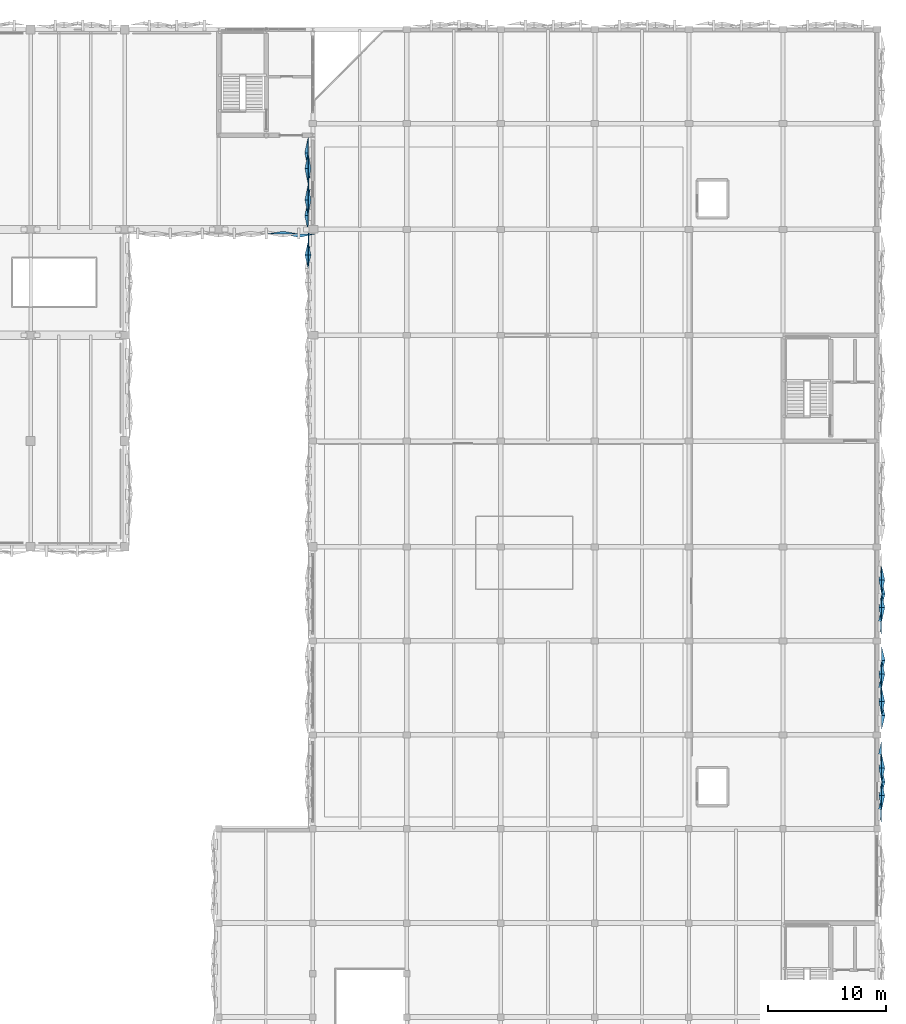
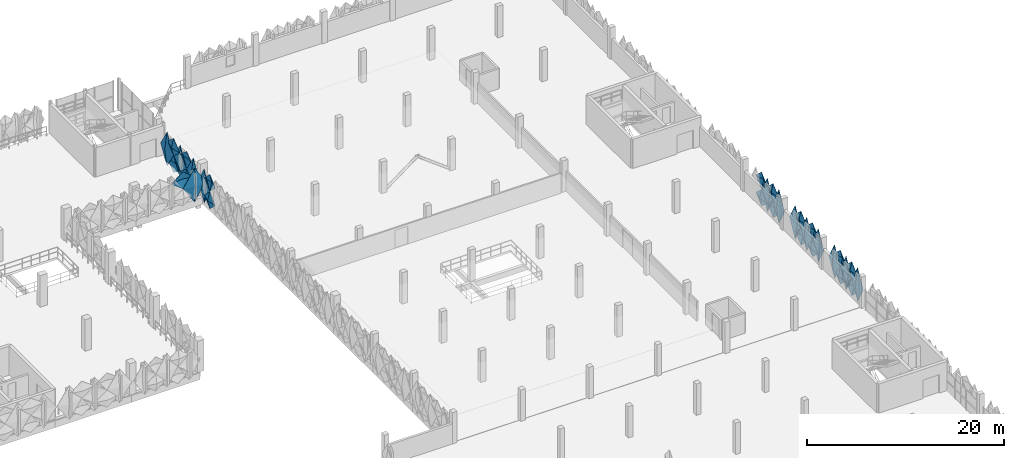
# One storey, part 65 of 83: 32 plates.
"""IFC4 building model written with IfcOpenShell, lengths in metres."""

import ifcopenshell
import ifcopenshell.guid

model = None  # the IFC model being written
_history = None  # IfcOwnerHistory: only IFC2X3 demands one
_inside = {}  # id of a spatial element -> (the spatial element, [elements in it])
_under = {}  # id of a project, library or spatial element -> (it, [spatial elements below it])
_declared = {}  # id of a project -> (the project, [libraries it declares])
_typed = {}  # id of a type object -> (the type object, [elements of that type])
_made_of = {}  # id of a material, layer set ... -> (it, [elements and type objects made of it])


def new_model(schema):
    """Start an empty IFC model of exactly this schema.

    Asked for "IFC4X3", IfcOpenShell would pick the latest addendum, in which some entities
    have other attributes; the version numbers below select the first issue.
    IFC2X3 requires an IfcOwnerHistory on every rooted entity: one is made here for all.
    """
    global model, _history
    if schema == "IFC4X3":
        model = ifcopenshell.file(schema_version=(4, 3, 0, 0))
    else:
        model = ifcopenshell.file(schema=schema)
    _inside.clear()
    _under.clear()
    _declared.clear()
    _typed.clear()
    _made_of.clear()
    _history = None
    if model.schema == "IFC2X3":
        org = make("IfcOrganization", Name="unknown")
        user = make(
            "IfcPersonAndOrganization",
            ThePerson=make("IfcPerson", FamilyName="unknown"),
            TheOrganization=org,
        )
        app = make(
            "IfcApplication",
            ApplicationDeveloper=org,
            Version="unknown",
            ApplicationFullName="unknown",
            ApplicationIdentifier="unknown",
        )
        _history = make(
            "IfcOwnerHistory",
            OwningUser=user,
            OwningApplication=app,
            ChangeAction="ADDED",
            CreationDate=0,
        )
    return model


def make(cls, **values):
    """One entity of the class cls with the attributes given. An attribute that is None is left unset."""
    return model.create_entity(
        cls, **{name: value for name, value in values.items() if value is not None}
    )


def rooted(cls, **values):
    """An entity with a GlobalId (a new one), such as an element, a storey or a relation."""
    return make(cls, GlobalId=ifcopenshell.guid.new(), OwnerHistory=_history, **values)


def si_unit(unit_type, name, prefix=None):
    """IfcSIUnit, for example si_unit("LENGTHUNIT", "METRE", prefix="MILLI")."""
    return make("IfcSIUnit", UnitType=unit_type, Prefix=prefix, Name=name)


def derived_unit(unit_type, elements):
    """IfcDerivedUnit: a product of units, each with its exponent."""
    return make(
        "IfcDerivedUnit",
        Elements=[
            make("IfcDerivedUnitElement", Unit=unit, Exponent=power)
            for unit, power in elements
        ],
        UnitType=unit_type,
    )


def assignment(units):
    """IfcUnitAssignment: the units of a project."""
    return None if units is None else make("IfcUnitAssignment", Units=units)


def point(xyz):
    """IfcCartesianPoint."""
    return None if xyz is None else make("IfcCartesianPoint", Coordinates=xyz)


def direction(xyz):
    """IfcDirection."""
    return None if xyz is None else make("IfcDirection", DirectionRatios=xyz)


def frame(location, z_axis=None, x_axis=None):
    """IfcAxis2Placement3D, a coordinate frame: its origin and axes. An axis left out is left unset."""
    return make(
        "IfcAxis2Placement3D",
        Location=point(location),
        Axis=direction(z_axis),
        RefDirection=direction(x_axis),
    )


def origin():
    """The frame at (0, 0, 0) with its axes left unset."""
    return frame((0.0, 0.0, 0.0))


def place(relative_to, where):
    """IfcLocalPlacement: puts the frame where relative to a parent placement (None: the world)."""
    return make(
        "IfcLocalPlacement", PlacementRelTo=relative_to, RelativePlacement=where
    )


def context(
    kind, dimensions, precision=None, world=None, true_north=None, identifier=None
):
    """IfcGeometricRepresentationContext, for example the 3D "Model" context."""
    return make(
        "IfcGeometricRepresentationContext",
        ContextIdentifier=identifier,
        ContextType=kind,
        CoordinateSpaceDimension=dimensions,
        Precision=precision,
        WorldCoordinateSystem=world,
        TrueNorth=true_north,
    )


def subcontext(parent, identifier, kind, view, scale=None):
    """IfcGeometricRepresentationSubContext, for example "Body" below "Model"."""
    return make(
        "IfcGeometricRepresentationSubContext",
        ContextIdentifier=identifier,
        ContextType=kind,
        ParentContext=parent,
        TargetScale=scale,
        TargetView=view,
    )


def project(units=None, contexts=None):
    """IfcProject with its units and contexts."""
    return rooted(
        "IfcProject",
        Name="project",
        RepresentationContexts=contexts,
        UnitsInContext=assignment(units),
    )


def spatial(cls, under=None, at=None, **own):
    """A site, building, storey or space (cls), placed at a placement, below another one or the project."""
    s = rooted(cls, ObjectPlacement=at, **own)
    if under is not None:
        _under.setdefault(under.id(), (under, []))[1].append(s)
    return s


def point_list(points):
    """IfcCartesianPointList2D or 3D."""
    cls = (
        "IfcCartesianPointList2D" if len(points[0]) == 2 else "IfcCartesianPointList3D"
    )
    return make(cls, CoordList=points)


def polygons(points, faces, closed=None, point_numbers=None):
    """IfcPolygonalFaceSet: a face is its outer loop, then its inner loops; points numbered from 1."""
    made = []
    for loops in faces:
        if len(loops) == 1:
            made.append(make("IfcIndexedPolygonalFace", CoordIndex=loops[0]))
        else:
            made.append(
                make(
                    "IfcIndexedPolygonalFaceWithVoids",
                    CoordIndex=loops[0],
                    InnerCoordIndices=loops[1:],
                )
            )
    return make(
        "IfcPolygonalFaceSet",
        Coordinates=point_list(points),
        Closed=closed,
        Faces=made,
        PnIndex=point_numbers,
    )


def shape(context_of_items, identifier, shape_type, items):
    """IfcShapeRepresentation: the items that make up one representation, for example the "Body"."""
    return make(
        "IfcShapeRepresentation",
        ContextOfItems=context_of_items,
        RepresentationIdentifier=identifier,
        RepresentationType=shape_type,
        Items=items,
    )


def material(Name=None, Category=None):
    """IfcMaterial."""
    return make("IfcMaterial", Name=Name, Category=Category)


def layer(
    of_material, thickness, ventilated=None, Name=None, Category=None, Priority=None
):
    """IfcMaterialLayer: one layer of a wall or slab, of a material (None: an air gap)."""
    return make(
        "IfcMaterialLayer",
        Material=of_material,
        LayerThickness=thickness,
        IsVentilated=ventilated,
        Name=Name,
        Category=Category,
        Priority=Priority,
    )


def layer_set(layers, Name=None):
    """IfcMaterialLayerSet."""
    return make("IfcMaterialLayerSet", MaterialLayers=layers, LayerSetName=Name)


def made_of(thing, what):
    """Note that an element or type object is made of a material, layer set ...; save() writes the relation."""
    if what is not None:
        _made_of.setdefault(what.id(), (what, []))[1].append(thing)
    return thing


def type_object(cls, material=None, **own):
    """A type object (cls), such as IfcWallType, which elements share."""
    return made_of(rooted(cls, **own), material)


def element(
    cls,
    number,
    at=None,
    inside=None,
    cuts=None,
    type_object=None,
    material=None,
    context=None,
    identifier="Body",
    shape_type=None,
    held_by="IfcProductDefinitionShape",
    body=None,
    shapes=None,
    **own,
):
    """One element of the class cls, such as IfcWall. Its Tag is "e" and its number.

    at: its placement. inside: the storey or other place that contains it. cuts: it is an
    opening in that element (IfcRelVoidsElement). A single representation is given by context,
    identifier, shape_type and body (its items); several are given by shapes. held_by: the class
    of the entity that holds the representations. save() writes the other relations.
    """
    e = rooted(cls, Tag="e%d" % number, ObjectPlacement=at, **own)
    if body is not None:
        shapes = [shape(context, identifier, shape_type, body)]
    if shapes is not None:
        e.Representation = make(held_by, Representations=shapes)
    if inside is not None:
        _inside.setdefault(inside.id(), (inside, []))[1].append(e)
    if cuts is not None:
        rooted(
            "IfcRelVoidsElement", RelatingBuildingElement=cuts, RelatedOpeningElement=e
        )
    if type_object is not None:
        _typed.setdefault(type_object.id(), (type_object, []))[1].append(e)
    return made_of(e, material)


def aggregate(whole, parts):
    """IfcRelAggregates: a whole, such as a stair, and the parts it consists of."""
    return rooted("IfcRelAggregates", RelatingObject=whole, RelatedObjects=parts)


def save(model, path):
    """Write the relations noted so far, then the file.

    IfcRelAggregates (storeys below a building ...), IfcRelContainedInSpatialStructure (elements
    in a storey), IfcRelDefinesByType, IfcRelAssociatesMaterial and IfcRelDeclares: one each for
    every whole, place, type object, material and project.
    """
    for whole, parts in _under.values():
        aggregate(whole, parts)
    for where, things in _inside.values():
        rooted(
            "IfcRelContainedInSpatialStructure",
            RelatedElements=things,
            RelatingStructure=where,
        )
    for kind, things in _typed.values():
        rooted("IfcRelDefinesByType", RelatedObjects=things, RelatingType=kind)
    for what, things in _made_of.values():
        rooted("IfcRelAssociatesMaterial", RelatedObjects=things, RelatingMaterial=what)
    for by, libraries in _declared.values():
        rooted("IfcRelDeclares", RelatingContext=by, RelatedDefinitions=libraries)
    model.write(path)


model = new_model("IFC4")

# Units and contexts
model_context = context("Model", 3, precision=1e-05, world=origin(), true_north=direction((0.0, 1.0)))
body_context = subcontext(model_context, "Body", "Model", "MODEL_VIEW")
ifc_project = project(units=[si_unit("LENGTHUNIT", "METRE"), si_unit("AREAUNIT", "SQUARE_METRE"), si_unit("VOLUMEUNIT", "CUBIC_METRE"), si_unit("PLANEANGLEUNIT", "RADIAN"), si_unit("MASSUNIT", "GRAM", prefix="KILO"), si_unit("THERMODYNAMICTEMPERATUREUNIT", "KELVIN"), derived_unit("THERMALTRANSMITTANCEUNIT", [(si_unit("POWERUNIT", "WATT"), 1), (si_unit("AREAUNIT", "SQUARE_METRE"), -1), (si_unit("THERMODYNAMICTEMPERATUREUNIT", "KELVIN"), -1)])], contexts=[model_context])

# Site, building, storey
site_placement = place(None, origin())
site = spatial("IfcSite", under=ifc_project, at=site_placement, CompositionType="ELEMENT")
building_placement = place(site_placement, origin())
building = spatial("IfcBuilding", under=site, at=building_placement, Name="Haiyu Intermodal Mobility Hub", CompositionType="ELEMENT")
storey_placement = place(building_placement, frame((0.0, 0.0, 13.39990234375)))
storey = spatial("IfcBuildingStorey", under=building, at=storey_placement, Name="L03", CompositionType="ELEMENT", Elevation=13.39990234375)

# Plates
ifc_material = material(Name="Anodised aluminium 6063-T6", Category="aluminium")
ifc_layer_1 = layer(ifc_material, 0.01806640625)
ifc_layer_set_1 = layer_set([ifc_layer_1], Name="Anodised aluminium 6063-T6")
plate_type_1 = type_object("IfcPlateType", Name="PLT-FC01", PredefinedType="USERDEFINED", material=ifc_layer_set_1)
plate_1_placement = place(storey_placement, origin())
element("IfcPlate", 1, at=plate_1_placement, inside=storey, type_object=plate_type_1, Name="PLT-PYR-1193", ObjectType="FACADE CASSETTE", PredefinedType="USERDEFINED", context=body_context, shape_type="Tessellation", body=[
    polygons([(210.39990234375, 84.0, -0.510009765625), (210.39990234375, 85.153076171875, 1.60009765625), (210.39990234375, 84.0, 3.710205078125), (210.39990234375, 82.846923828125, 1.60009765625), (210.679931640625, 84.0, 1.60009765625), (210.3779296875, 84.0, -0.510009765625), (210.3779296875, 85.153076171875, 1.60009765625), (210.3779296875, 84.0, 3.710205078125), (210.3779296875, 82.846923828125, 1.60009765625), (210.657958984375, 84.0, 1.60009765625)], [[[1, 2, 5]], [[2, 3, 5]], [[3, 4, 5]], [[4, 1, 5]], [[7, 6, 10]], [[8, 7, 10]], [[9, 8, 10]], [[6, 9, 10]], [[1, 6, 7, 2]], [[2, 7, 8, 3]], [[3, 8, 9, 4]], [[4, 9, 6, 1]]], closed=True),
])
plate_2_placement = place(storey_placement, origin())
element("IfcPlate", 2, at=plate_2_placement, inside=storey, type_object=plate_type_1, Name="PLT-PYR-1195", ObjectType="FACADE CASSETTE", PredefinedType="USERDEFINED", context=body_context, shape_type="Tessellation", body=[
    polygons([(210.39990234375, 85.173095703125, 1.6201171875), (210.39990234375, 86.326904296875, 2.670166015625), (210.39990234375, 85.173095703125, 3.72021484375), (210.39990234375, 84.02001953125, 2.670166015625), (210.659912109375, 85.173095703125, 2.670166015625), (210.3779296875, 85.173095703125, 1.6201171875), (210.3779296875, 86.326904296875, 2.670166015625), (210.3779296875, 85.173095703125, 3.72021484375), (210.3779296875, 84.02001953125, 2.670166015625), (210.637939453125, 85.173095703125, 2.670166015625)], [[[1, 2, 5]], [[2, 3, 5]], [[3, 4, 5]], [[4, 1, 5]], [[7, 6, 10]], [[8, 7, 10]], [[9, 8, 10]], [[6, 9, 10]], [[1, 6, 7, 2]], [[2, 7, 8, 3]], [[3, 8, 9, 4]], [[4, 9, 6, 1]]], closed=True),
])
plate_3_placement = place(storey_placement, origin())
element("IfcPlate", 3, at=plate_3_placement, inside=storey, type_object=plate_type_1, Name="PLT-PYR-1199", ObjectType="FACADE CASSETTE", PredefinedType="USERDEFINED", context=body_context, shape_type="Tessellation", body=[
    polygons([(210.39990234375, 90.826904296875, 1.6201171875), (210.39990234375, 91.97998046875, 2.670166015625), (210.39990234375, 90.826904296875, 3.72021484375), (210.39990234375, 89.673095703125, 2.670166015625), (210.659912109375, 90.826904296875, 2.670166015625), (210.3779296875, 90.826904296875, 1.6201171875), (210.3779296875, 91.97998046875, 2.670166015625), (210.3779296875, 90.826904296875, 3.72021484375), (210.3779296875, 89.673095703125, 2.670166015625), (210.637939453125, 90.826904296875, 2.670166015625)], [[[1, 2, 5]], [[2, 3, 5]], [[3, 4, 5]], [[4, 1, 5]], [[7, 6, 10]], [[8, 7, 10]], [[9, 8, 10]], [[6, 9, 10]], [[1, 6, 7, 2]], [[2, 7, 8, 3]], [[3, 8, 9, 4]], [[4, 9, 6, 1]]], closed=True),
])
plate_4_placement = place(storey_placement, origin())
element("IfcPlate", 4, at=plate_4_placement, inside=storey, type_object=plate_type_1, Name="PLT-PYR-1207", ObjectType="FACADE CASSETTE", PredefinedType="USERDEFINED", context=body_context, shape_type="Tessellation", body=[
    polygons([(210.39990234375, 100.0, -0.510009765625), (210.39990234375, 101.153076171875, 1.60009765625), (210.39990234375, 100.0, 3.710205078125), (210.39990234375, 98.846923828125, 1.60009765625), (210.679931640625, 100.0, 1.60009765625), (210.3779296875, 100.0, -0.510009765625), (210.3779296875, 101.153076171875, 1.60009765625), (210.3779296875, 100.0, 3.710205078125), (210.3779296875, 98.846923828125, 1.60009765625), (210.657958984375, 100.0, 1.60009765625)], [[[1, 2, 5]], [[2, 3, 5]], [[3, 4, 5]], [[4, 1, 5]], [[7, 6, 10]], [[8, 7, 10]], [[9, 8, 10]], [[6, 9, 10]], [[1, 6, 7, 2]], [[2, 7, 8, 3]], [[3, 8, 9, 4]], [[4, 9, 6, 1]]], closed=True),
])
plate_5_placement = place(storey_placement, origin())
element("IfcPlate", 5, at=plate_5_placement, inside=storey, type_object=plate_type_1, Name="PLT-PYR-1209", ObjectType="FACADE CASSETTE", PredefinedType="USERDEFINED", context=body_context, shape_type="Tessellation", body=[
    polygons([(210.39990234375, 101.173095703125, 1.6201171875), (210.39990234375, 102.326904296875, 2.670166015625), (210.39990234375, 101.173095703125, 3.72021484375), (210.39990234375, 100.02001953125, 2.670166015625), (210.659912109375, 101.173095703125, 2.670166015625), (210.3779296875, 101.173095703125, 1.6201171875), (210.3779296875, 102.326904296875, 2.670166015625), (210.3779296875, 101.173095703125, 3.72021484375), (210.3779296875, 100.02001953125, 2.670166015625), (210.637939453125, 101.173095703125, 2.670166015625)], [[[1, 2, 5]], [[2, 3, 5]], [[3, 4, 5]], [[4, 1, 5]], [[7, 6, 10]], [[8, 7, 10]], [[9, 8, 10]], [[6, 9, 10]], [[1, 6, 7, 2]], [[2, 7, 8, 3]], [[3, 8, 9, 4]], [[4, 9, 6, 1]]], closed=True),
])
plate_6_placement = place(storey_placement, origin())
element("IfcPlate", 6, at=plate_6_placement, inside=storey, type_object=plate_type_1, Name="PLT-PYR-1977", ObjectType="FACADE CASSETTE", PredefinedType="USERDEFINED", context=body_context, shape_type="Tessellation", body=[
    polygons([(161.60009765625, 136.18310546875, 1.6201171875), (161.60009765625, 134.8701171875, 2.670166015625), (161.60009765625, 136.18310546875, 3.72021484375), (161.60009765625, 137.4970703125, 2.670166015625), (161.340087890625, 136.18310546875, 2.670166015625), (161.6220703125, 136.18310546875, 1.6201171875), (161.6220703125, 134.8701171875, 2.670166015625), (161.6220703125, 136.18310546875, 3.72021484375), (161.6220703125, 137.4970703125, 2.670166015625), (161.362060546875, 136.18310546875, 2.670166015625)], [[[1, 2, 5]], [[2, 3, 5]], [[3, 4, 5]], [[4, 1, 5]], [[7, 6, 10]], [[8, 7, 10]], [[9, 8, 10]], [[6, 9, 10]], [[1, 6, 7, 2]], [[2, 7, 8, 3]], [[3, 8, 9, 4]], [[4, 9, 6, 1]]], closed=True),
])
plate_7_placement = place(storey_placement, origin())
element("IfcPlate", 7, at=plate_7_placement, inside=storey, type_object=plate_type_1, Name="PLT-PYR-2386", ObjectType="FACADE CASSETTE", PredefinedType="USERDEFINED", context=body_context, shape_type="Tessellation", body=[
    polygons([(160.8330078125, 130.60009765625, -0.510009765625), (162.179931640625, 130.60009765625, 1.60009765625), (160.8330078125, 130.60009765625, 3.710205078125), (159.487060546875, 130.60009765625, 1.60009765625), (160.8330078125, 130.320068359375, 1.60009765625), (160.8330078125, 130.6220703125, -0.510009765625), (162.179931640625, 130.6220703125, 1.60009765625), (160.8330078125, 130.6220703125, 3.710205078125), (159.487060546875, 130.6220703125, 1.60009765625), (160.8330078125, 130.342041015625, 1.60009765625)], [[[1, 2, 5]], [[2, 3, 5]], [[3, 4, 5]], [[4, 1, 5]], [[7, 6, 10]], [[8, 7, 10]], [[9, 8, 10]], [[6, 9, 10]], [[1, 6, 7, 2]], [[2, 7, 8, 3]], [[3, 8, 9, 4]], [[4, 9, 6, 1]]], closed=True),
])
ifc_layer_2 = layer(ifc_material, 0.02001953125)
ifc_layer_set_2 = layer_set([ifc_layer_2], Name="Anodised aluminium 6063-T6")
plate_type_2 = type_object("IfcPlateType", Name="PLT-FC02", PredefinedType="USERDEFINED", material=ifc_layer_set_2)
plate_8_placement = place(storey_placement, origin())
element("IfcPlate", 8, at=plate_8_placement, inside=storey, type_object=plate_type_2, Name="PLT-PYR-1192", ObjectType="FACADE CASSETTE", PredefinedType="USERDEFINED", context=body_context, shape_type="Tessellation", body=[
    polygons([(210.39990234375, 82.826904296875, 1.6201171875), (210.39990234375, 83.97998046875, 2.670166015625), (210.39990234375, 82.826904296875, 3.72021484375), (210.39990234375, 81.673095703125, 2.670166015625), (210.179931640625, 82.826904296875, 2.670166015625), (210.3779296875, 82.826904296875, 1.6201171875), (210.3779296875, 83.97998046875, 2.670166015625), (210.3779296875, 82.826904296875, 3.72021484375), (210.3779296875, 81.673095703125, 2.670166015625), (210.157958984375, 82.826904296875, 2.670166015625)], [[[1, 2, 5]], [[2, 3, 5]], [[3, 4, 5]], [[4, 1, 5]], [[7, 6, 10]], [[8, 7, 10]], [[9, 8, 10]], [[6, 9, 10]], [[1, 6, 7, 2]], [[2, 7, 8, 3]], [[3, 8, 9, 4]], [[4, 9, 6, 1]]], closed=True),
])
plate_9_placement = place(storey_placement, origin())
element("IfcPlate", 9, at=plate_9_placement, inside=storey, type_object=plate_type_2, Name="PLT-PYR-1200", ObjectType="FACADE CASSETTE", PredefinedType="USERDEFINED", context=body_context, shape_type="Tessellation", body=[
    polygons([(210.39990234375, 92.0, -0.510009765625), (210.39990234375, 93.153076171875, 1.60009765625), (210.39990234375, 92.0, 3.710205078125), (210.39990234375, 90.846923828125, 1.60009765625), (210.139892578125, 92.0, 1.60009765625), (210.3779296875, 92.0, -0.510009765625), (210.3779296875, 93.153076171875, 1.60009765625), (210.3779296875, 92.0, 3.710205078125), (210.3779296875, 90.846923828125, 1.60009765625), (210.117919921875, 92.0, 1.60009765625)], [[[1, 2, 5]], [[2, 3, 5]], [[3, 4, 5]], [[4, 1, 5]], [[7, 6, 10]], [[8, 7, 10]], [[9, 8, 10]], [[6, 9, 10]], [[1, 6, 7, 2]], [[2, 7, 8, 3]], [[3, 8, 9, 4]], [[4, 9, 6, 1]]], closed=True),
])
plate_10_placement = place(storey_placement, origin())
element("IfcPlate", 10, at=plate_10_placement, inside=storey, type_object=plate_type_2, Name="PLT-PYR-1202", ObjectType="FACADE CASSETTE", PredefinedType="USERDEFINED", context=body_context, shape_type="Tessellation", body=[
    polygons([(210.39990234375, 93.173095703125, 1.6201171875), (210.39990234375, 94.326904296875, 2.670166015625), (210.39990234375, 93.173095703125, 3.72021484375), (210.39990234375, 92.02001953125, 2.670166015625), (210.179931640625, 93.173095703125, 2.670166015625), (210.3779296875, 93.173095703125, 1.6201171875), (210.3779296875, 94.326904296875, 2.670166015625), (210.3779296875, 93.173095703125, 3.72021484375), (210.3779296875, 92.02001953125, 2.670166015625), (210.157958984375, 93.173095703125, 2.670166015625)], [[[1, 2, 5]], [[2, 3, 5]], [[3, 4, 5]], [[4, 1, 5]], [[7, 6, 10]], [[8, 7, 10]], [[9, 8, 10]], [[6, 9, 10]], [[1, 6, 7, 2]], [[2, 7, 8, 3]], [[3, 8, 9, 4]], [[4, 9, 6, 1]]], closed=True),
])
plate_11_placement = place(storey_placement, origin())
element("IfcPlate", 11, at=plate_11_placement, inside=storey, type_object=plate_type_2, Name="PLT-PYR-1206", ObjectType="FACADE CASSETTE", PredefinedType="USERDEFINED", context=body_context, shape_type="Tessellation", body=[
    polygons([(210.39990234375, 98.826904296875, 1.6201171875), (210.39990234375, 99.97998046875, 2.670166015625), (210.39990234375, 98.826904296875, 3.72021484375), (210.39990234375, 97.673095703125, 2.670166015625), (210.179931640625, 98.826904296875, 2.670166015625), (210.3779296875, 98.826904296875, 1.6201171875), (210.3779296875, 99.97998046875, 2.670166015625), (210.3779296875, 98.826904296875, 3.72021484375), (210.3779296875, 97.673095703125, 2.670166015625), (210.157958984375, 98.826904296875, 2.670166015625)], [[[1, 2, 5]], [[2, 3, 5]], [[3, 4, 5]], [[4, 1, 5]], [[7, 6, 10]], [[8, 7, 10]], [[9, 8, 10]], [[6, 9, 10]], [[1, 6, 7, 2]], [[2, 7, 8, 3]], [[3, 8, 9, 4]], [[4, 9, 6, 1]]], closed=True),
])
plate_12_placement = place(storey_placement, origin())
element("IfcPlate", 12, at=plate_12_placement, inside=storey, type_object=plate_type_2, Name="PLT-PYR-1967", ObjectType="FACADE CASSETTE", PredefinedType="USERDEFINED", context=body_context, shape_type="Tessellation", body=[
    polygons([(161.60009765625, 128.824951171875, 1.6201171875), (161.60009765625, 127.681884765625, 2.670166015625), (161.60009765625, 128.824951171875, 3.72021484375), (161.60009765625, 129.968017578125, 2.670166015625), (161.820068359375, 128.824951171875, 2.670166015625), (161.6220703125, 128.824951171875, 1.6201171875), (161.6220703125, 127.681884765625, 2.670166015625), (161.6220703125, 128.824951171875, 3.72021484375), (161.6220703125, 129.968017578125, 2.670166015625), (161.842041015625, 128.824951171875, 2.670166015625)], [[[1, 2, 5]], [[2, 3, 5]], [[3, 4, 5]], [[4, 1, 5]], [[7, 6, 10]], [[8, 7, 10]], [[9, 8, 10]], [[6, 9, 10]], [[1, 6, 7, 2]], [[2, 7, 8, 3]], [[3, 8, 9, 4]], [[4, 9, 6, 1]]], closed=True),
])
plate_13_placement = place(storey_placement, origin())
element("IfcPlate", 13, at=plate_13_placement, inside=storey, type_object=plate_type_2, Name="PLT-PYR-1978", ObjectType="FACADE CASSETTE", PredefinedType="USERDEFINED", context=body_context, shape_type="Tessellation", body=[
    polygons([(161.60009765625, 134.85009765625, -0.510009765625), (161.60009765625, 133.537109375, 1.60009765625), (161.60009765625, 134.85009765625, 3.710205078125), (161.60009765625, 136.1630859375, 1.60009765625), (161.860107421875, 134.85009765625, 1.60009765625), (161.6220703125, 134.85009765625, -0.510009765625), (161.6220703125, 133.537109375, 1.60009765625), (161.6220703125, 134.85009765625, 3.710205078125), (161.6220703125, 136.1630859375, 1.60009765625), (161.882080078125, 134.85009765625, 1.60009765625)], [[[1, 2, 5]], [[2, 3, 5]], [[3, 4, 5]], [[4, 1, 5]], [[7, 6, 10]], [[8, 7, 10]], [[9, 8, 10]], [[6, 9, 10]], [[1, 6, 7, 2]], [[2, 7, 8, 3]], [[3, 8, 9, 4]], [[4, 9, 6, 1]]], closed=True),
])
plate_14_placement = place(storey_placement, origin())
element("IfcPlate", 14, at=plate_14_placement, inside=storey, type_object=plate_type_2, Name="PLT-PYR-1980", ObjectType="FACADE CASSETTE", PredefinedType="USERDEFINED", context=body_context, shape_type="Tessellation", body=[
    polygons([(161.60009765625, 133.51708984375, 1.6201171875), (161.60009765625, 132.202880859375, 2.670166015625), (161.60009765625, 133.51708984375, 3.72021484375), (161.60009765625, 134.830078125, 2.670166015625), (161.820068359375, 133.51708984375, 2.670166015625), (161.6220703125, 133.51708984375, 1.6201171875), (161.6220703125, 132.202880859375, 2.670166015625), (161.6220703125, 133.51708984375, 3.72021484375), (161.6220703125, 134.830078125, 2.670166015625), (161.842041015625, 133.51708984375, 2.670166015625)], [[[1, 2, 5]], [[2, 3, 5]], [[3, 4, 5]], [[4, 1, 5]], [[7, 6, 10]], [[8, 7, 10]], [[9, 8, 10]], [[6, 9, 10]], [[1, 6, 7, 2]], [[2, 7, 8, 3]], [[3, 8, 9, 4]], [[4, 9, 6, 1]]], closed=True),
])
plate_15_placement = place(storey_placement, origin())
element("IfcPlate", 15, at=plate_15_placement, inside=storey, type_object=plate_type_2, Name="PLT-PYR-2385", ObjectType="FACADE CASSETTE", PredefinedType="USERDEFINED", context=body_context, shape_type="Tessellation", body=[
    polygons([(159.467041015625, 130.60009765625, 1.6201171875), (160.81298828125, 130.60009765625, 2.670166015625), (159.467041015625, 130.60009765625, 3.72021484375), (158.1201171875, 130.60009765625, 2.670166015625), (159.467041015625, 130.820068359375, 2.670166015625), (159.467041015625, 130.6220703125, 1.6201171875), (160.81298828125, 130.6220703125, 2.670166015625), (159.467041015625, 130.6220703125, 3.72021484375), (158.1201171875, 130.6220703125, 2.670166015625), (159.467041015625, 130.842041015625, 2.670166015625)], [[[1, 2, 5]], [[2, 3, 5]], [[3, 4, 5]], [[4, 1, 5]], [[7, 6, 10]], [[8, 7, 10]], [[9, 8, 10]], [[6, 9, 10]], [[1, 6, 7, 2]], [[2, 7, 8, 3]], [[3, 8, 9, 4]], [[4, 9, 6, 1]]], closed=True),
])
ifc_layer_3 = layer(ifc_material, 0.01806640625)
ifc_layer_set_3 = layer_set([ifc_layer_3], Name="Anodised aluminium 6063-T6")
plate_type_3 = type_object("IfcPlateType", Name="PLT-FC03", PredefinedType="USERDEFINED", material=ifc_layer_set_3)
plate_16_placement = place(storey_placement, origin())
element("IfcPlate", 16, at=plate_16_placement, inside=storey, type_object=plate_type_3, Name="PLT-PYR-1203", ObjectType="FACADE CASSETTE", PredefinedType="USERDEFINED", context=body_context, shape_type="Tessellation", body=[
    polygons([(210.39990234375, 94.346923828125, -0.510009765625), (210.39990234375, 95.5, 1.60009765625), (210.39990234375, 94.346923828125, 3.710205078125), (210.39990234375, 93.193115234375, 1.60009765625), (210.679931640625, 94.346923828125, 1.60009765625), (210.3779296875, 94.346923828125, -0.510009765625), (210.3779296875, 95.5, 1.60009765625), (210.3779296875, 94.346923828125, 3.710205078125), (210.3779296875, 93.193115234375, 1.60009765625), (210.657958984375, 94.346923828125, 1.60009765625)], [[[1, 2, 5]], [[2, 3, 5]], [[3, 4, 5]], [[4, 1, 5]], [[7, 6, 10]], [[8, 7, 10]], [[9, 8, 10]], [[6, 9, 10]], [[1, 6, 7, 2]], [[2, 7, 8, 3]], [[3, 8, 9, 4]], [[4, 9, 6, 1]]], closed=True),
])
plate_17_placement = place(storey_placement, origin())
element("IfcPlate", 17, at=plate_17_placement, inside=storey, type_object=plate_type_3, Name="PLT-PYR-1981", ObjectType="FACADE CASSETTE", PredefinedType="USERDEFINED", context=body_context, shape_type="Tessellation", body=[
    polygons([(161.60009765625, 132.18310546875, -0.510009765625), (161.60009765625, 130.8701171875, 1.60009765625), (161.60009765625, 132.18310546875, 3.710205078125), (161.60009765625, 133.4970703125, 1.60009765625), (161.320068359375, 132.18310546875, 1.60009765625), (161.6220703125, 132.18310546875, -0.510009765625), (161.6220703125, 130.8701171875, 1.60009765625), (161.6220703125, 132.18310546875, 3.710205078125), (161.6220703125, 133.4970703125, 1.60009765625), (161.342041015625, 132.18310546875, 1.60009765625)], [[[1, 2, 5]], [[2, 3, 5]], [[3, 4, 5]], [[4, 1, 5]], [[7, 6, 10]], [[8, 7, 10]], [[9, 8, 10]], [[6, 9, 10]], [[1, 6, 7, 2]], [[2, 7, 8, 3]], [[3, 8, 9, 4]], [[4, 9, 6, 1]]], closed=True),
])
ifc_layer_4 = layer(ifc_material, 0.02001953125)
ifc_layer_set_4 = layer_set([ifc_layer_4], Name="Anodised aluminium 6063-T6")
plate_type_4 = type_object("IfcPlateType", Name="PLT-FC04", PredefinedType="USERDEFINED", material=ifc_layer_set_4)
plate_18_placement = place(storey_placement, origin())
element("IfcPlate", 18, at=plate_18_placement, inside=storey, type_object=plate_type_4, Name="PLT-PYR-1196", ObjectType="FACADE CASSETTE", PredefinedType="USERDEFINED", context=body_context, shape_type="Tessellation", body=[
    polygons([(210.39990234375, 86.346923828125, -0.510009765625), (210.39990234375, 87.5, 1.60009765625), (210.39990234375, 86.346923828125, 3.710205078125), (210.39990234375, 85.193115234375, 1.60009765625), (210.139892578125, 86.346923828125, 1.60009765625), (210.3779296875, 86.346923828125, -0.510009765625), (210.3779296875, 87.5, 1.60009765625), (210.3779296875, 86.346923828125, 3.710205078125), (210.3779296875, 85.193115234375, 1.60009765625), (210.117919921875, 86.346923828125, 1.60009765625)], [[[1, 2, 5]], [[2, 3, 5]], [[3, 4, 5]], [[4, 1, 5]], [[7, 6, 10]], [[8, 7, 10]], [[9, 8, 10]], [[6, 9, 10]], [[1, 6, 7, 2]], [[2, 7, 8, 3]], [[3, 8, 9, 4]], [[4, 9, 6, 1]]], closed=True),
])
ifc_layer_5 = layer(ifc_material, 0.02197265625)
ifc_layer_set_5 = layer_set([ifc_layer_5], Name="Anodised aluminium 6063-T6")
plate_type_5 = type_object("IfcPlateType", Name="PLT-FC07", PredefinedType="USERDEFINED", material=ifc_layer_set_5)
plate_19_placement = place(storey_placement, origin())
element("IfcPlate", 19, at=plate_19_placement, inside=storey, type_object=plate_type_5, Name="PLT-PYR-1191", ObjectType="FACADE CASSETTE", PredefinedType="USERDEFINED", context=body_context, shape_type="Tessellation", body=[
    polygons([(210.39990234375, 82.826904296875, -0.52001953125), (210.39990234375, 83.97998046875, 0.530029296875), (210.39990234375, 82.826904296875, 1.580078125), (210.39990234375, 81.673095703125, 0.530029296875), (210.659912109375, 82.826904296875, 0.530029296875), (210.3779296875, 82.826904296875, -0.52001953125), (210.3779296875, 83.97998046875, 0.530029296875), (210.3779296875, 82.826904296875, 1.580078125), (210.3779296875, 81.673095703125, 0.530029296875), (210.637939453125, 82.826904296875, 0.530029296875)], [[[1, 2, 5]], [[2, 3, 5]], [[3, 4, 5]], [[4, 1, 5]], [[7, 6, 10]], [[8, 7, 10]], [[9, 8, 10]], [[6, 9, 10]], [[1, 6, 7, 2]], [[2, 7, 8, 3]], [[3, 8, 9, 4]], [[4, 9, 6, 1]]], closed=True),
])
plate_20_placement = place(storey_placement, origin())
element("IfcPlate", 20, at=plate_20_placement, inside=storey, type_object=plate_type_5, Name="PLT-PYR-1197", ObjectType="FACADE CASSETTE", PredefinedType="USERDEFINED", context=body_context, shape_type="Tessellation", body=[
    polygons([(210.39990234375, 89.653076171875, -0.510009765625), (210.39990234375, 90.806884765625, 1.60009765625), (210.39990234375, 89.653076171875, 3.710205078125), (210.39990234375, 88.5, 1.60009765625), (210.679931640625, 89.653076171875, 1.60009765625), (210.3779296875, 89.653076171875, -0.510009765625), (210.3779296875, 90.806884765625, 1.60009765625), (210.3779296875, 89.653076171875, 3.710205078125), (210.3779296875, 88.5, 1.60009765625), (210.657958984375, 89.653076171875, 1.60009765625)], [[[1, 2, 5]], [[2, 3, 5]], [[3, 4, 5]], [[4, 1, 5]], [[7, 6, 10]], [[8, 7, 10]], [[9, 8, 10]], [[6, 9, 10]], [[1, 6, 7, 2]], [[2, 7, 8, 3]], [[3, 8, 9, 4]], [[4, 9, 6, 1]]], closed=True),
])
plate_21_placement = place(storey_placement, origin())
element("IfcPlate", 21, at=plate_21_placement, inside=storey, type_object=plate_type_5, Name="PLT-PYR-1201", ObjectType="FACADE CASSETTE", PredefinedType="USERDEFINED", context=body_context, shape_type="Tessellation", body=[
    polygons([(210.39990234375, 93.173095703125, -0.52001953125), (210.39990234375, 94.326904296875, 0.530029296875), (210.39990234375, 93.173095703125, 1.580078125), (210.39990234375, 92.02001953125, 0.530029296875), (210.659912109375, 93.173095703125, 0.530029296875), (210.3779296875, 93.173095703125, -0.52001953125), (210.3779296875, 94.326904296875, 0.530029296875), (210.3779296875, 93.173095703125, 1.580078125), (210.3779296875, 92.02001953125, 0.530029296875), (210.637939453125, 93.173095703125, 0.530029296875)], [[[1, 2, 5]], [[2, 3, 5]], [[3, 4, 5]], [[4, 1, 5]], [[7, 6, 10]], [[8, 7, 10]], [[9, 8, 10]], [[6, 9, 10]], [[1, 6, 7, 2]], [[2, 7, 8, 3]], [[3, 8, 9, 4]], [[4, 9, 6, 1]]], closed=True),
])
plate_22_placement = place(storey_placement, origin())
element("IfcPlate", 22, at=plate_22_placement, inside=storey, type_object=plate_type_5, Name="PLT-PYR-1205", ObjectType="FACADE CASSETTE", PredefinedType="USERDEFINED", context=body_context, shape_type="Tessellation", body=[
    polygons([(210.39990234375, 98.826904296875, -0.52001953125), (210.39990234375, 99.97998046875, 0.530029296875), (210.39990234375, 98.826904296875, 1.580078125), (210.39990234375, 97.673095703125, 0.530029296875), (210.659912109375, 98.826904296875, 0.530029296875), (210.3779296875, 98.826904296875, -0.52001953125), (210.3779296875, 99.97998046875, 0.530029296875), (210.3779296875, 98.826904296875, 1.580078125), (210.3779296875, 97.673095703125, 0.530029296875), (210.637939453125, 98.826904296875, 0.530029296875)], [[[1, 2, 5]], [[2, 3, 5]], [[3, 4, 5]], [[4, 1, 5]], [[7, 6, 10]], [[8, 7, 10]], [[9, 8, 10]], [[6, 9, 10]], [[1, 6, 7, 2]], [[2, 7, 8, 3]], [[3, 8, 9, 4]], [[4, 9, 6, 1]]], closed=True),
])
plate_23_placement = place(storey_placement, origin())
element("IfcPlate", 23, at=plate_23_placement, inside=storey, type_object=plate_type_5, Name="PLT-PYR-1966", ObjectType="FACADE CASSETTE", PredefinedType="USERDEFINED", context=body_context, shape_type="Tessellation", body=[
    polygons([(161.60009765625, 128.824951171875, -0.52001953125), (161.60009765625, 127.681884765625, 0.530029296875), (161.60009765625, 128.824951171875, 1.580078125), (161.60009765625, 129.968017578125, 0.530029296875), (161.340087890625, 128.824951171875, 0.530029296875), (161.6220703125, 128.824951171875, -0.52001953125), (161.6220703125, 127.681884765625, 0.530029296875), (161.6220703125, 128.824951171875, 1.580078125), (161.6220703125, 129.968017578125, 0.530029296875), (161.362060546875, 128.824951171875, 0.530029296875)], [[[1, 2, 5]], [[2, 3, 5]], [[3, 4, 5]], [[4, 1, 5]], [[7, 6, 10]], [[8, 7, 10]], [[9, 8, 10]], [[6, 9, 10]], [[1, 6, 7, 2]], [[2, 7, 8, 3]], [[3, 8, 9, 4]], [[4, 9, 6, 1]]], closed=True),
])
plate_24_placement = place(storey_placement, origin())
element("IfcPlate", 24, at=plate_24_placement, inside=storey, type_object=plate_type_5, Name="PLT-PYR-1975", ObjectType="FACADE CASSETTE", PredefinedType="USERDEFINED", context=body_context, shape_type="Tessellation", body=[
    polygons([(161.60009765625, 137.51708984375, -0.510009765625), (161.60009765625, 136.202880859375, 1.60009765625), (161.60009765625, 137.51708984375, 3.710205078125), (161.60009765625, 138.830078125, 1.60009765625), (161.320068359375, 137.51708984375, 1.60009765625), (161.6220703125, 137.51708984375, -0.510009765625), (161.6220703125, 136.202880859375, 1.60009765625), (161.6220703125, 137.51708984375, 3.710205078125), (161.6220703125, 138.830078125, 1.60009765625), (161.342041015625, 137.51708984375, 1.60009765625)], [[[1, 2, 5]], [[2, 3, 5]], [[3, 4, 5]], [[4, 1, 5]], [[7, 6, 10]], [[8, 7, 10]], [[9, 8, 10]], [[6, 9, 10]], [[1, 6, 7, 2]], [[2, 7, 8, 3]], [[3, 8, 9, 4]], [[4, 9, 6, 1]]], closed=True),
])
plate_25_placement = place(storey_placement, origin())
element("IfcPlate", 25, at=plate_25_placement, inside=storey, type_object=plate_type_5, Name="PLT-PYR-1979", ObjectType="FACADE CASSETTE", PredefinedType="USERDEFINED", context=body_context, shape_type="Tessellation", body=[
    polygons([(161.60009765625, 133.51708984375, -0.52001953125), (161.60009765625, 132.202880859375, 0.530029296875), (161.60009765625, 133.51708984375, 1.580078125), (161.60009765625, 134.830078125, 0.530029296875), (161.340087890625, 133.51708984375, 0.530029296875), (161.6220703125, 133.51708984375, -0.52001953125), (161.6220703125, 132.202880859375, 0.530029296875), (161.6220703125, 133.51708984375, 1.580078125), (161.6220703125, 134.830078125, 0.530029296875), (161.362060546875, 133.51708984375, 0.530029296875)], [[[1, 2, 5]], [[2, 3, 5]], [[3, 4, 5]], [[4, 1, 5]], [[7, 6, 10]], [[8, 7, 10]], [[9, 8, 10]], [[6, 9, 10]], [[1, 6, 7, 2]], [[2, 7, 8, 3]], [[3, 8, 9, 4]], [[4, 9, 6, 1]]], closed=True),
])
ifc_layer_6 = layer(ifc_material, 0.02392578125)
ifc_layer_set_6 = layer_set([ifc_layer_6], Name="Anodised aluminium 6063-T6")
plate_type_6 = type_object("IfcPlateType", Name="PLT-FC08", PredefinedType="USERDEFINED", material=ifc_layer_set_6)
plate_26_placement = place(storey_placement, origin())
element("IfcPlate", 26, at=plate_26_placement, inside=storey, type_object=plate_type_6, Name="PLT-PYR-1190", ObjectType="FACADE CASSETTE", PredefinedType="USERDEFINED", context=body_context, shape_type="Tessellation", body=[
    polygons([(210.39990234375, 81.653076171875, -0.510009765625), (210.39990234375, 82.806884765625, 1.60009765625), (210.39990234375, 81.653076171875, 3.710205078125), (210.39990234375, 80.5, 1.60009765625), (210.139892578125, 81.653076171875, 1.60009765625), (210.3779296875, 81.653076171875, -0.510009765625), (210.3779296875, 82.806884765625, 1.60009765625), (210.3779296875, 81.653076171875, 3.710205078125), (210.3779296875, 80.5, 1.60009765625), (210.117919921875, 81.653076171875, 1.60009765625)], [[[1, 2, 5]], [[2, 3, 5]], [[3, 4, 5]], [[4, 1, 5]], [[7, 6, 10]], [[8, 7, 10]], [[9, 8, 10]], [[6, 9, 10]], [[1, 6, 7, 2]], [[2, 7, 8, 3]], [[3, 8, 9, 4]], [[4, 9, 6, 1]]], closed=True),
])
plate_27_placement = place(storey_placement, origin())
element("IfcPlate", 27, at=plate_27_placement, inside=storey, type_object=plate_type_6, Name="PLT-PYR-1194", ObjectType="FACADE CASSETTE", PredefinedType="USERDEFINED", context=body_context, shape_type="Tessellation", body=[
    polygons([(210.39990234375, 85.173095703125, -0.52001953125), (210.39990234375, 86.326904296875, 0.530029296875), (210.39990234375, 85.173095703125, 1.580078125), (210.39990234375, 84.02001953125, 0.530029296875), (210.179931640625, 85.173095703125, 0.530029296875), (210.3779296875, 85.173095703125, -0.52001953125), (210.3779296875, 86.326904296875, 0.530029296875), (210.3779296875, 85.173095703125, 1.580078125), (210.3779296875, 84.02001953125, 0.530029296875), (210.157958984375, 85.173095703125, 0.530029296875)], [[[1, 2, 5]], [[2, 3, 5]], [[3, 4, 5]], [[4, 1, 5]], [[7, 6, 10]], [[8, 7, 10]], [[9, 8, 10]], [[6, 9, 10]], [[1, 6, 7, 2]], [[2, 7, 8, 3]], [[3, 8, 9, 4]], [[4, 9, 6, 1]]], closed=True),
])
plate_28_placement = place(storey_placement, origin())
element("IfcPlate", 28, at=plate_28_placement, inside=storey, type_object=plate_type_6, Name="PLT-PYR-1198", ObjectType="FACADE CASSETTE", PredefinedType="USERDEFINED", context=body_context, shape_type="Tessellation", body=[
    polygons([(210.39990234375, 90.826904296875, -0.52001953125), (210.39990234375, 91.97998046875, 0.530029296875), (210.39990234375, 90.826904296875, 1.580078125), (210.39990234375, 89.673095703125, 0.530029296875), (210.179931640625, 90.826904296875, 0.530029296875), (210.3779296875, 90.826904296875, -0.52001953125), (210.3779296875, 91.97998046875, 0.530029296875), (210.3779296875, 90.826904296875, 1.580078125), (210.3779296875, 89.673095703125, 0.530029296875), (210.157958984375, 90.826904296875, 0.530029296875)], [[[1, 2, 5]], [[2, 3, 5]], [[3, 4, 5]], [[4, 1, 5]], [[7, 6, 10]], [[8, 7, 10]], [[9, 8, 10]], [[6, 9, 10]], [[1, 6, 7, 2]], [[2, 7, 8, 3]], [[3, 8, 9, 4]], [[4, 9, 6, 1]]], closed=True),
])
plate_29_placement = place(storey_placement, origin())
element("IfcPlate", 29, at=plate_29_placement, inside=storey, type_object=plate_type_6, Name="PLT-PYR-1204", ObjectType="FACADE CASSETTE", PredefinedType="USERDEFINED", context=body_context, shape_type="Tessellation", body=[
    polygons([(210.39990234375, 97.653076171875, -0.510009765625), (210.39990234375, 98.806884765625, 1.60009765625), (210.39990234375, 97.653076171875, 3.710205078125), (210.39990234375, 96.5, 1.60009765625), (210.139892578125, 97.653076171875, 1.60009765625), (210.3779296875, 97.653076171875, -0.510009765625), (210.3779296875, 98.806884765625, 1.60009765625), (210.3779296875, 97.653076171875, 3.710205078125), (210.3779296875, 96.5, 1.60009765625), (210.117919921875, 97.653076171875, 1.60009765625)], [[[1, 2, 5]], [[2, 3, 5]], [[3, 4, 5]], [[4, 1, 5]], [[7, 6, 10]], [[8, 7, 10]], [[9, 8, 10]], [[6, 9, 10]], [[1, 6, 7, 2]], [[2, 7, 8, 3]], [[3, 8, 9, 4]], [[4, 9, 6, 1]]], closed=True),
])
plate_30_placement = place(storey_placement, origin())
element("IfcPlate", 30, at=plate_30_placement, inside=storey, type_object=plate_type_6, Name="PLT-PYR-1208", ObjectType="FACADE CASSETTE", PredefinedType="USERDEFINED", context=body_context, shape_type="Tessellation", body=[
    polygons([(210.39990234375, 101.173095703125, -0.52001953125), (210.39990234375, 102.326904296875, 0.530029296875), (210.39990234375, 101.173095703125, 1.580078125), (210.39990234375, 100.02001953125, 0.530029296875), (210.179931640625, 101.173095703125, 0.530029296875), (210.3779296875, 101.173095703125, -0.52001953125), (210.3779296875, 102.326904296875, 0.530029296875), (210.3779296875, 101.173095703125, 1.580078125), (210.3779296875, 100.02001953125, 0.530029296875), (210.157958984375, 101.173095703125, 0.530029296875)], [[[1, 2, 5]], [[2, 3, 5]], [[3, 4, 5]], [[4, 1, 5]], [[7, 6, 10]], [[8, 7, 10]], [[9, 8, 10]], [[6, 9, 10]], [[1, 6, 7, 2]], [[2, 7, 8, 3]], [[3, 8, 9, 4]], [[4, 9, 6, 1]]], closed=True),
])
plate_31_placement = place(storey_placement, origin())
element("IfcPlate", 31, at=plate_31_placement, inside=storey, type_object=plate_type_6, Name="PLT-PYR-1965", ObjectType="FACADE CASSETTE", PredefinedType="USERDEFINED", context=body_context, shape_type="Tessellation", body=[
    polygons([(161.60009765625, 129.988037109375, -0.510009765625), (161.60009765625, 128.844970703125, 1.60009765625), (161.60009765625, 129.988037109375, 3.710205078125), (161.60009765625, 131.1298828125, 1.60009765625), (161.860107421875, 129.988037109375, 1.60009765625), (161.6220703125, 129.988037109375, -0.510009765625), (161.6220703125, 128.844970703125, 1.60009765625), (161.6220703125, 129.988037109375, 3.710205078125), (161.6220703125, 131.1298828125, 1.60009765625), (161.882080078125, 129.988037109375, 1.60009765625)], [[[1, 2, 5]], [[2, 3, 5]], [[3, 4, 5]], [[4, 1, 5]], [[7, 6, 10]], [[8, 7, 10]], [[9, 8, 10]], [[6, 9, 10]], [[1, 6, 7, 2]], [[2, 7, 8, 3]], [[3, 8, 9, 4]], [[4, 9, 6, 1]]], closed=True),
])
plate_32_placement = place(storey_placement, origin())
element("IfcPlate", 32, at=plate_32_placement, inside=storey, type_object=plate_type_6, Name="PLT-PYR-1976", ObjectType="FACADE CASSETTE", PredefinedType="USERDEFINED", context=body_context, shape_type="Tessellation", body=[
    polygons([(161.60009765625, 136.18310546875, -0.52001953125), (161.60009765625, 134.8701171875, 0.530029296875), (161.60009765625, 136.18310546875, 1.580078125), (161.60009765625, 137.4970703125, 0.530029296875), (161.820068359375, 136.18310546875, 0.530029296875), (161.6220703125, 136.18310546875, -0.52001953125), (161.6220703125, 134.8701171875, 0.530029296875), (161.6220703125, 136.18310546875, 1.580078125), (161.6220703125, 137.4970703125, 0.530029296875), (161.842041015625, 136.18310546875, 0.530029296875)], [[[1, 2, 5]], [[2, 3, 5]], [[3, 4, 5]], [[4, 1, 5]], [[7, 6, 10]], [[8, 7, 10]], [[9, 8, 10]], [[6, 9, 10]], [[1, 6, 7, 2]], [[2, 7, 8, 3]], [[3, 8, 9, 4]], [[4, 9, 6, 1]]], closed=True),
])

save(model, "model.ifc")
